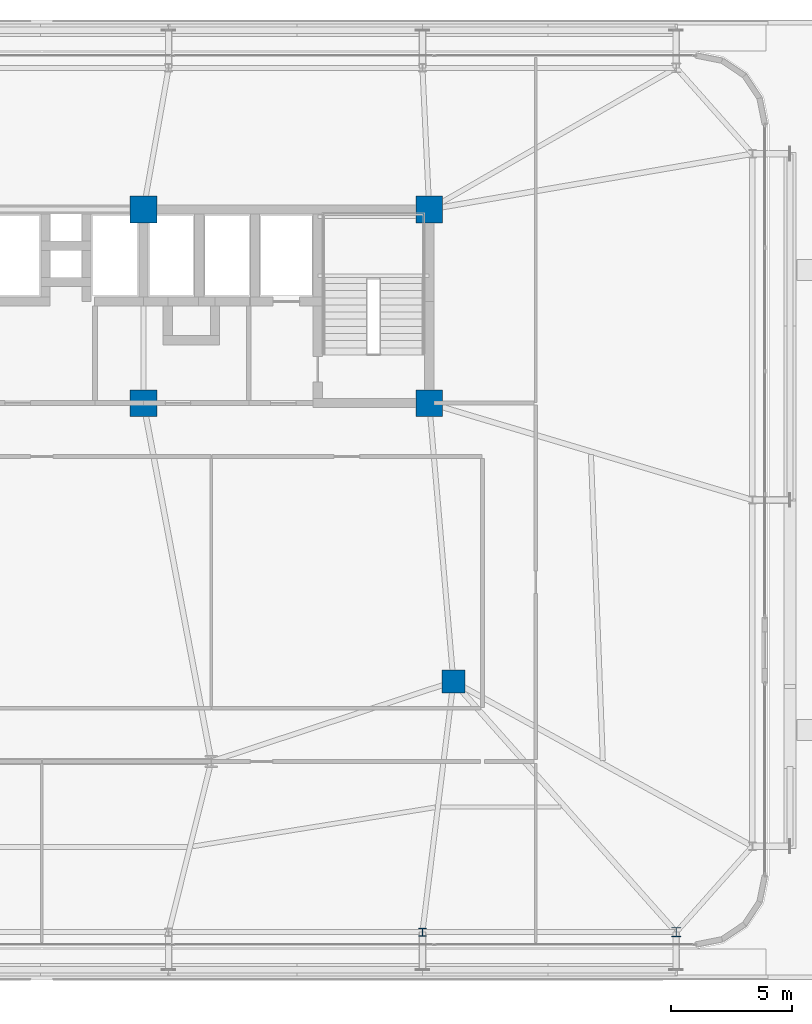
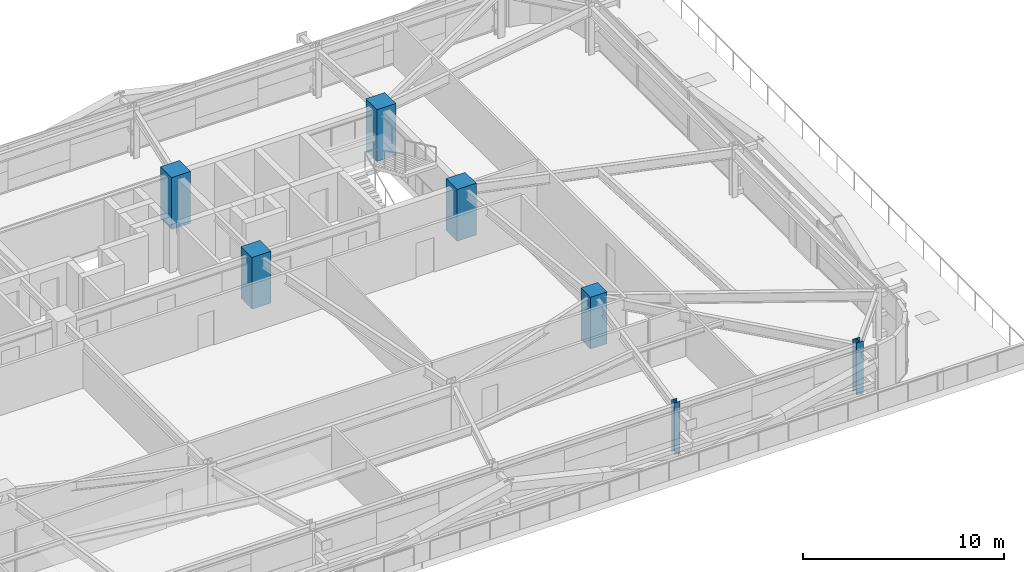
# One storey, part 2 of 56: 7 columns.
"""IFC4 building model written with IfcOpenShell, lengths in metres."""

from ifc_helpers import new_model, si_unit, direction, frame, origin, origin_2d, place, context, subcontext, project, spatial, rectangle, i_section, extrude, source, transform, mapped, material, material_profile, profile_set, type_object, element, save


model = new_model("IFC4")

# Units and contexts
model_context = context("Model", 3, precision=1e-05, world=origin(), true_north=direction((0.0, 1.0)))
body_context = subcontext(model_context, "Body", "Model", "MODEL_VIEW")
ifc_project = project(units=[si_unit("LENGTHUNIT", "METRE"), si_unit("AREAUNIT", "SQUARE_METRE"), si_unit("VOLUMEUNIT", "CUBIC_METRE"), si_unit("PLANEANGLEUNIT", "RADIAN"), si_unit("MASSUNIT", "GRAM", prefix="KILO")], contexts=[model_context])

# Site, building, storey
site_placement = place(None, origin())
site = spatial("IfcSite", under=ifc_project, at=site_placement, CompositionType="ELEMENT")
building_placement = place(site_placement, origin())
building = spatial("IfcBuilding", under=site, at=building_placement, Name="Taldren Reach Tower", CompositionType="ELEMENT")
storey_placement = place(building_placement, frame((0.0, 0.0, 16.800048828125)))
storey = spatial("IfcBuildingStorey", under=building, at=storey_placement, Name="L04", CompositionType="ELEMENT", Elevation=16.800048828125)

# Columns
ifc_material_1 = material(Name="Concrete S100 (100 MPa)", Category="concrete")
ifc_material_profile_1 = material_profile(ifc_material_1, rectangle(XDim=1.10009765625, YDim=1.10009765625, at=origin_2d()), Name="RC-1100x1100")
ifc_profile_set_1 = profile_set([ifc_material_profile_1], Name="Concrete S100 (100 MPa)")
column_type_1 = type_object("IfcColumnType", Name="COL-RC1100", PredefinedType="COLUMN", material=ifc_profile_set_1)
shared_shape_1 = source(origin(), body_context, "Body", "SweptSolid", [
    extrude(rectangle(XDim=1.10009765625, YDim=1.10009765625, at=origin_2d()), origin(), (0.0, 0.0, 1.0), 3.14990234375),
])
for number, where, z_axis, x_axis, name in (
    (1, (39.199951171875, 24.0, 0.0), (0.0, 0.0, 1.0), (1.0, 0.0, 0.0), "Mega column MC-C3 L04"),
    (2, (51.0, 24.0, 0.0), (0.0, 0.0, 1.0), (1.0, 0.0, 0.0), "Mega column MC-C4 L04"),
    (3, (39.199951171875, 32.0, 0.0), (0.0, 0.0, 1.0), (1.0, 0.0, 0.0), "Mega column MC-C7 L04"),
    (4, (51.0, 32.0, 0.0), (0.0, 0.0, 1.0), (1.0, 0.0, 0.0), "Mega column MC-C8 L04"),
):
    element("IfcColumn", number, at=place(storey_placement, frame(where, z_axis=z_axis, x_axis=x_axis)), inside=storey, type_object=column_type_1, Name=name, PredefinedType="COLUMN", context=body_context, shape_type="MappedRepresentation", body=[
        mapped(shared_shape_1, transform((0.0, 0.0, 0.0), scale=1.0)),
    ])
ifc_material_2 = material(Name="Concrete S80 (80 MPa)", Category="concrete")
ifc_material_profile_2 = material_profile(ifc_material_2, rectangle(XDim=0.949951171875, YDim=0.949951171875, at=origin_2d()), Name="RC-950x950")
ifc_profile_set_2 = profile_set([ifc_material_profile_2], Name="Concrete S80 (80 MPa)")
column_type_2 = type_object("IfcColumnType", Name="COL-RC950", PredefinedType="COLUMN", material=ifc_profile_set_2)
shared_shape_2 = source(origin(), body_context, "Body", "SweptSolid", [
    extrude(rectangle(XDim=0.949951171875, YDim=0.949951171875, at=origin_2d()), origin(), (0.0, 0.0, 1.0), 3.14990234375),
])
column_1_placement = place(storey_placement, frame((52.0, 12.5, 0.0), z_axis=(0.0, 0.0, 1.0), x_axis=(1.0, 0.0, 0.0)))
element("IfcColumn", 5, at=column_1_placement, inside=storey, type_object=column_type_2, Name="Mega column MC-SE L04", PredefinedType="COLUMN", context=body_context, shape_type="MappedRepresentation", body=[
    mapped(shared_shape_2, transform((0.0, 0.0, 0.0), scale=1.0)),
])
ifc_material_3 = material(Name="Steel Gr 350 (350PLUS)", Category="steel")
ifc_material_profile_3 = material_profile(ifc_material_3, i_section(OverallWidth=0.39990234375, OverallDepth=0.39599609375, WebThickness=0.02197265625, FlangeThickness=0.033935546875, at=origin_2d()), Name="400WC270")
ifc_profile_set_3 = profile_set([ifc_material_profile_3], Name="Steel Gr 350 (350PLUS)")
column_type_3 = type_object("IfcColumnType", Name="COL-WC400", PredefinedType="COLUMN", material=ifc_profile_set_3)
shared_shape_3 = source(origin(), body_context, "Body", "SweptSolid", [
    extrude(i_section(OverallWidth=0.39990234375, OverallDepth=0.39599609375, WebThickness=0.02197265625, FlangeThickness=0.033935546875, at=origin_2d()), origin(), (0.0, 0.0, 1.0), 3.14990234375),
])
column_2_placement = place(storey_placement, frame((61.199951171875, 2.14990234375, 0.0), z_axis=(0.0, 0.0, 1.0), x_axis=(1.0, 0.0, 0.0)))
element("IfcColumn", 6, at=column_2_placement, inside=storey, type_object=column_type_3, Name="Block B1 perimeter column S6 L04", PredefinedType="COLUMN", context=body_context, shape_type="MappedRepresentation", body=[
    mapped(shared_shape_3, transform((0.0, 0.0, 0.0), scale=1.0)),
])
ifc_material_profile_4 = material_profile(ifc_material_3, i_section(OverallWidth=0.31103515625, OverallDepth=0.326904296875, WebThickness=0.015625, FlangeThickness=0.02490234375, at=origin_2d()), Name="310UC158")
ifc_profile_set_4 = profile_set([ifc_material_profile_4], Name="Steel Gr 350 (350PLUS)")
column_type_4 = type_object("IfcColumnType", Name="COL-UC310A", PredefinedType="COLUMN", material=ifc_profile_set_4)
shared_shape_4 = source(origin(), body_context, "Body", "SweptSolid", [
    extrude(i_section(OverallWidth=0.31103515625, OverallDepth=0.326904296875, WebThickness=0.015625, FlangeThickness=0.02490234375, at=origin_2d()), origin(), (0.0, 0.0, 1.0), 3.14990234375),
])
column_3_placement = place(storey_placement, frame((50.719970703125, 2.14990234375, 0.0), z_axis=(0.0, 0.0, 1.0), x_axis=(1.0, 0.0, 0.0)))
element("IfcColumn", 7, at=column_3_placement, inside=storey, type_object=column_type_4, Name="Block B1 perimeter column S5 L04", PredefinedType="COLUMN", context=body_context, shape_type="MappedRepresentation", body=[
    mapped(shared_shape_4, transform((0.0, 0.0, 0.0), scale=1.0)),
])

save(model, "model.ifc")
